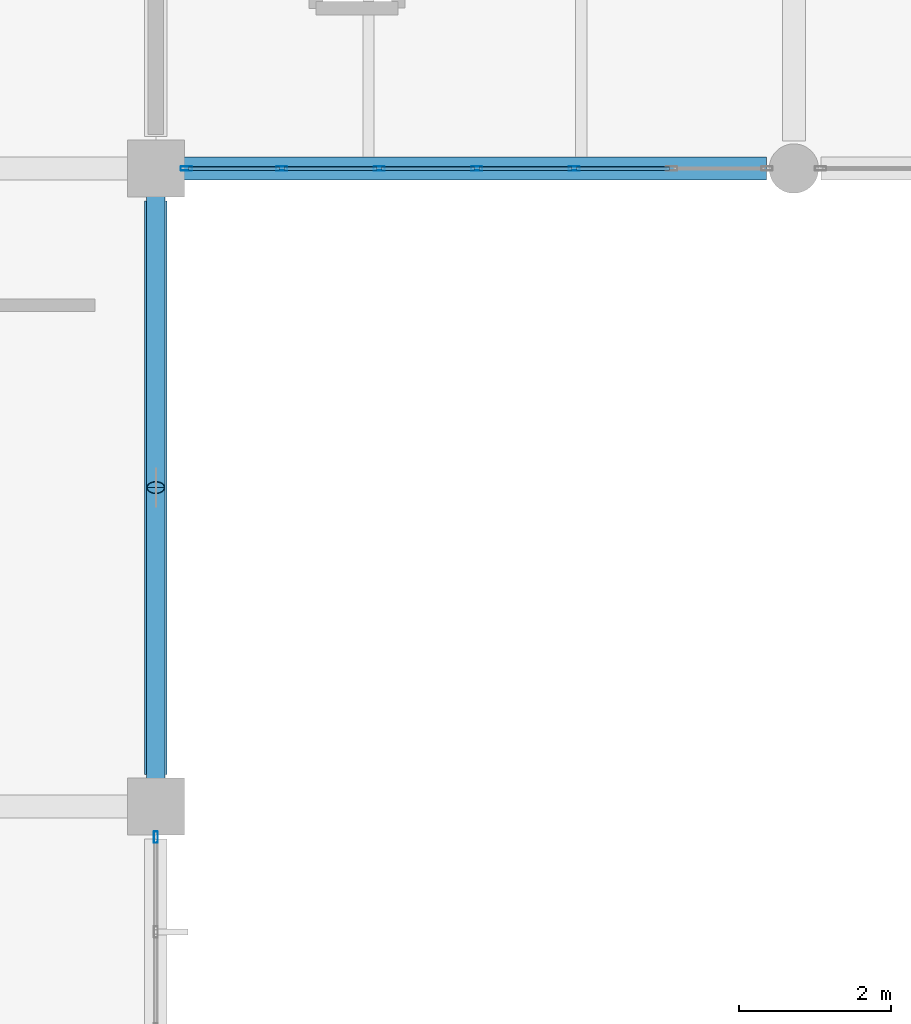
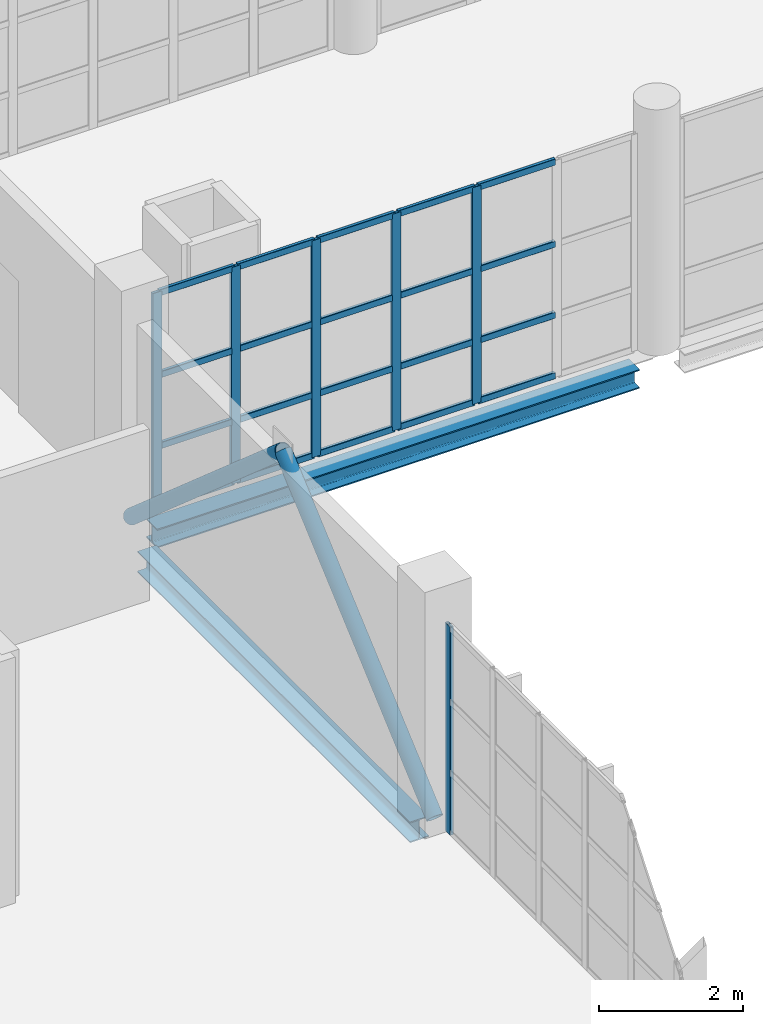
# One storey, part 63 of 177: 28 members, 2 beams, 2 elements without a shape of their own.
"""IFC4 building model written with IfcOpenShell, lengths in metres."""

from ifc_helpers import new_model, si_unit, direction, frame, origin, origin_2d, place, context, subcontext, project, spatial, hollow_rectangle, hollow_circle, i_section, extrude, material, layer, layer_set, material_profile, profile_set, type_object, element, aggregate, save


model = new_model("IFC4")

# Units and contexts
model_context = context("Model", 3, precision=1e-05, world=origin(), true_north=direction((0.0, 1.0)))
body_context = subcontext(model_context, "Body", "Model", "MODEL_VIEW")
ifc_project = project(units=[si_unit("LENGTHUNIT", "METRE"), si_unit("AREAUNIT", "SQUARE_METRE"), si_unit("VOLUMEUNIT", "CUBIC_METRE"), si_unit("PLANEANGLEUNIT", "RADIAN"), si_unit("MASSUNIT", "GRAM", prefix="KILO"), si_unit("THERMODYNAMICTEMPERATUREUNIT", "KELVIN"), si_unit("POWERUNIT", "WATT")], contexts=[model_context])

# Site, building, storey
site_placement = place(None, origin())
site = spatial("IfcSite", under=ifc_project, at=site_placement, CompositionType="ELEMENT")
building_placement = place(site_placement, origin())
building = spatial("IfcBuilding", under=site, at=building_placement, Name="Mavoryth Pier Ferry Terminal", CompositionType="ELEMENT")
storey_placement = place(building_placement, frame((0.0, 0.0, 5.43994140625)))
storey = spatial("IfcBuildingStorey", under=building, at=storey_placement, Name="L01", CompositionType="ELEMENT", Elevation=5.43994140625)

# Members
ifc_material_1 = material(Name="Steel S355J2", Category="steel")
ifc_material_profile_1 = material_profile(ifc_material_1, hollow_circle(Radius=0.122314453125, WallThickness=0.012451171875, at=origin_2d()), Name="CHS 244.5x12.5", Category="steel")
ifc_profile_set_1 = profile_set([ifc_material_profile_1], Name="Steel S355J2 - CHS 244.5x12.5")
member_type_1 = type_object("IfcMemberType", Name="Brace-Diag-CHS245", PredefinedType="BRACE", material=ifc_profile_set_1)
for number, where, z_axis, x_axis, name in (
    (1, (33.60009765625, 80.800048828125, 0.0), (0.0, 0.753891827784, 0.656998563165), (-1.0, 0.0, 0.0), "Steel Member MB-L01-0316"),
    (2, (33.60009765625, 89.199951171875, 0.0), (0.0, -0.753891827784, 0.656998563165), (1.0, 0.0, 0.0), "Steel Member MB-L01-0317"),
):
    element("IfcMember", number, at=place(storey_placement, frame(where, z_axis=z_axis, x_axis=x_axis)), inside=storey, type_object=member_type_1, Name=name, PredefinedType="BRACE", context=body_context, shape_type="SweptSolid", body=[
        extrude(hollow_circle(Radius=0.122314453125, WallThickness=0.012451171875, at=origin_2d()), origin(), (0.0, 0.0, 1.0), 5.571044921875),
    ])

# Curtain wall, member
ifc_material_2 = material(Name="Anodised Aluminium and Solar-Control Low-E Glass", Category="aluminium")
ifc_layer_1 = layer(ifc_material_2, 0.199951171875, Name="Anodised Aluminium and Solar-Control Low-E Glass", Category="aluminium")
ifc_layer_set_1 = layer_set([ifc_layer_1], Name="Anodised Aluminium and Solar-Control Low-E Glass - CW-Concourse-Mod1200")
curtain_wall_type_1 = type_object("IfcCurtainWallType", Name="CW-Concourse-Mod1200", PredefinedType="USERDEFINED", material=ifc_layer_set_1)
curtain_wall_1_placement = place(storey_placement, origin())
curtain_wall_1 = element("IfcCurtainWall", 3, at=curtain_wall_1_placement, inside=storey, type_object=curtain_wall_type_1, Name="Curtain Wall CW-0111-020", ObjectType="UNITISED CURTAIN WALL", PredefinedType="USERDEFINED")
ifc_material_3 = material(Name="Anodised Aluminium EN AW-6063", Category="aluminium")
ifc_material_profile_2 = material_profile(ifc_material_3, hollow_rectangle(XDim=0.054931640625, YDim=0.14990234375, WallThickness=0.00390625, InnerFilletRadius=0.00390625, OuterFilletRadius=0.008056640625, at=origin_2d()), Name="AL-MULL 150x55x4", Category="aluminium")
ifc_profile_set_2 = profile_set([ifc_material_profile_2], Name="Anodised Aluminium EN AW-6063 - AL-MULL 150x55x4")
member_type_2 = type_object("IfcMemberType", Name="Mullion-Alum-150x55", PredefinedType="MULLION", material=ifc_profile_set_2)
member_1_placement = place(storey_placement, frame((33.60009765625, 80.3974609375, 0.0), z_axis=(0.0, 0.0, 1.0), x_axis=(-1.0, 0.0, 0.0)))
member_1 = element("IfcMember", 4, at=member_1_placement, type_object=member_type_2, Name="CW02 mullion 7", PredefinedType="MULLION", context=body_context, shape_type="SweptSolid", body=[
    extrude(hollow_rectangle(XDim=0.054931640625, YDim=0.14990234375, WallThickness=0.00390625, InnerFilletRadius=0.00390625, OuterFilletRadius=0.008056640625, at=origin_2d()), origin(), (0.0, 0.0, 1.0), 3.51513671875),
])
aggregate(curtain_wall_1, [member_1])

# Curtain wall, members
ifc_layer_2 = layer(ifc_material_2, 0.1201171875, Name="Anodised Aluminium and Solar-Control Low-E Glass", Category="aluminium")
ifc_layer_set_2 = layer_set([ifc_layer_2], Name="Anodised Aluminium and Solar-Control Low-E Glass - CW-BridgeLink-Mod1400")
curtain_wall_type_2 = type_object("IfcCurtainWallType", Name="CW-BridgeLink-Mod1400", PredefinedType="USERDEFINED", material=ifc_layer_set_2)
curtain_wall_2_placement = place(storey_placement, origin())
curtain_wall_2 = element("IfcCurtainWall", 5, at=curtain_wall_2_placement, inside=storey, type_object=curtain_wall_type_2, Name="Curtain Wall CW-0111-098", ObjectType="UNITISED CURTAIN WALL", PredefinedType="USERDEFINED")
member_2_placement = place(storey_placement, frame((34.00244140625, 89.199951171875, 0.0), z_axis=(0.0, 0.0, 1.0), x_axis=(0.0, 1.0, 0.0)))
member_2 = element("IfcMember", 6, at=member_2_placement, type_object=member_type_2, Name="CW08 mullion 1", PredefinedType="MULLION", context=body_context, shape_type="SweptSolid", body=[
    extrude(hollow_rectangle(XDim=0.054931640625, YDim=0.14990234375, WallThickness=0.00390625, InnerFilletRadius=0.00390625, OuterFilletRadius=0.008056640625, at=origin_2d()), origin(), (0.0, 0.0, 1.0), 3.6650390625),
])
member_3_placement = place(storey_placement, frame((35.25830078125, 89.199951171875, 0.0), z_axis=(0.0, 0.0, 1.0), x_axis=(0.0, 1.0, 0.0)))
member_3 = element("IfcMember", 7, at=member_3_placement, type_object=member_type_2, Name="CW08 mullion 2", PredefinedType="MULLION", context=body_context, shape_type="SweptSolid", body=[
    extrude(hollow_rectangle(XDim=0.054931640625, YDim=0.14990234375, WallThickness=0.00390625, InnerFilletRadius=0.00390625, OuterFilletRadius=0.008056640625, at=origin_2d()), origin(), (0.0, 0.0, 1.0), 3.6650390625),
])
member_4_placement = place(storey_placement, frame((36.541748046875, 89.199951171875, 0.0), z_axis=(0.0, 0.0, 1.0), x_axis=(0.0, 1.0, 0.0)))
member_4 = element("IfcMember", 8, at=member_4_placement, type_object=member_type_2, Name="CW08 mullion 3", PredefinedType="MULLION", context=body_context, shape_type="SweptSolid", body=[
    extrude(hollow_rectangle(XDim=0.054931640625, YDim=0.14990234375, WallThickness=0.00390625, InnerFilletRadius=0.00390625, OuterFilletRadius=0.008056640625, at=origin_2d()), origin(), (0.0, 0.0, 1.0), 3.6650390625),
])
member_5_placement = place(storey_placement, frame((37.824951171875, 89.199951171875, 0.0), z_axis=(0.0, 0.0, 1.0), x_axis=(0.0, 1.0, 0.0)))
member_5 = element("IfcMember", 9, at=member_5_placement, type_object=member_type_2, Name="CW08 mullion 4", PredefinedType="MULLION", context=body_context, shape_type="SweptSolid", body=[
    extrude(hollow_rectangle(XDim=0.054931640625, YDim=0.14990234375, WallThickness=0.00390625, InnerFilletRadius=0.00390625, OuterFilletRadius=0.008056640625, at=origin_2d()), origin(), (0.0, 0.0, 1.0), 3.6650390625),
])
member_6_placement = place(storey_placement, frame((39.1083984375, 89.199951171875, 0.0), z_axis=(0.0, 0.0, 1.0), x_axis=(0.0, 1.0, 0.0)))
member_6 = element("IfcMember", 10, at=member_6_placement, type_object=member_type_2, Name="CW08 mullion 5", PredefinedType="MULLION", context=body_context, shape_type="SweptSolid", body=[
    extrude(hollow_rectangle(XDim=0.054931640625, YDim=0.14990234375, WallThickness=0.00390625, InnerFilletRadius=0.00390625, OuterFilletRadius=0.008056640625, at=origin_2d()), origin(), (0.0, 0.0, 1.0), 3.6650390625),
])

# Beams
ifc_material_profile_3 = material_profile(ifc_material_1, i_section(OverallWidth=0.300048828125, OverallDepth=0.35009765625, WebThickness=0.010009765625, FlangeThickness=0.017578125, FilletRadius=0.027099609375, at=origin_2d()), Name="HEA 360", Category="steel")
ifc_profile_set_3 = profile_set([ifc_material_profile_3], Name="Steel S355J2 - HEA 360")
beam_type_1 = type_object("IfcBeamType", Name="Spandrel-Steel-HEA360", PredefinedType="SPANDREL", material=ifc_profile_set_3)
beam_1_placement = place(storey_placement, frame((33.60009765625, 81.22509765625, -0.454833984375), z_axis=(0.0, 1.0, 0.0), x_axis=(-1.0, 0.0, 0.0)))
element("IfcBeam", 11, at=beam_1_placement, inside=storey, type_object=beam_type_1, Name="Beam B01-SP03-0108", PredefinedType="SPANDREL", context=body_context, shape_type="SweptSolid", body=[
    extrude(i_section(OverallWidth=0.300048828125, OverallDepth=0.35009765625, WebThickness=0.010009765625, FlangeThickness=0.017578125, FilletRadius=0.027099609375, at=origin_2d()), origin(), (0.0, 0.0, 1.0), 7.5498046875),
])
ifc_material_profile_4 = material_profile(ifc_material_1, i_section(OverallWidth=0.300048828125, OverallDepth=0.320068359375, WebThickness=0.011474609375, FlangeThickness=0.0205078125, FilletRadius=0.027099609375, at=origin_2d()), Name="HEB 320", Category="steel")
ifc_profile_set_4 = profile_set([ifc_material_profile_4], Name="Steel S355J2 - HEB 320")
beam_type_2 = type_object("IfcBeamType", Name="Spandrel-Steel-HEB320", PredefinedType="SPANDREL", material=ifc_profile_set_4)
beam_2_placement = place(storey_placement, frame((33.925048828125, 89.199951171875, -0.39990234375), z_axis=(1.0, 0.0, 0.0), x_axis=(0.0, 1.0, 0.0)))
element("IfcBeam", 12, at=beam_2_placement, inside=storey, type_object=beam_type_2, Name="Beam B01-SP04-0149", PredefinedType="SPANDREL", context=body_context, shape_type="SweptSolid", body=[
    extrude(i_section(OverallWidth=0.300048828125, OverallDepth=0.320068359375, WebThickness=0.011474609375, FlangeThickness=0.0205078125, FilletRadius=0.027099609375, at=origin_2d()), origin(), (0.0, 0.0, 1.0), 7.71484375),
])

# Member
ifc_material_profile_5 = material_profile(ifc_material_3, hollow_rectangle(XDim=0.054931640625, YDim=0.110107421875, WallThickness=0.00390625, InnerFilletRadius=0.00390625, OuterFilletRadius=0.008056640625, at=origin_2d()), Name="AL-TRAN 110x55x4", Category="aluminium")
ifc_profile_set_5 = profile_set([ifc_material_profile_5], Name="Anodised Aluminium EN AW-6063 - AL-TRAN 110x55x4")
member_type_3 = type_object("IfcMemberType", Name="Transom-Alum-110x55", PredefinedType="USERDEFINED", material=ifc_profile_set_5)
member_7_placement = place(storey_placement, frame((34.030029296875, 89.199951171875, 0.027587890625), z_axis=(1.0, 0.0, 0.0), x_axis=(0.0, 1.0, 0.0)))
member_7 = element("IfcMember", 13, at=member_7_placement, type_object=member_type_3, Name="CW08 transom 1.1", ObjectType="TRANSOM", PredefinedType="USERDEFINED", context=body_context, shape_type="SweptSolid", body=[
    extrude(hollow_rectangle(XDim=0.054931640625, YDim=0.110107421875, WallThickness=0.00390625, InnerFilletRadius=0.00390625, OuterFilletRadius=0.008056640625, at=origin_2d()), origin(), (0.0, 0.0, 1.0), 1.20068359375),
])

member_8_placement = place(storey_placement, frame((34.030029296875, 89.199951171875, 1.050048828125), z_axis=(1.0, 0.0, 0.0), x_axis=(0.0, 1.0, 0.0)))
member_8 = element("IfcMember", 14, at=member_8_placement, type_object=member_type_3, Name="CW08 transom 1.2", ObjectType="TRANSOM", PredefinedType="USERDEFINED", context=body_context, shape_type="SweptSolid", body=[
    extrude(hollow_rectangle(XDim=0.054931640625, YDim=0.110107421875, WallThickness=0.00390625, InnerFilletRadius=0.00390625, OuterFilletRadius=0.008056640625, at=origin_2d()), origin(), (0.0, 0.0, 1.0), 1.20068359375),
])

member_9_placement = place(storey_placement, frame((34.030029296875, 89.199951171875, 2.25), z_axis=(1.0, 0.0, 0.0), x_axis=(0.0, 1.0, 0.0)))
member_9 = element("IfcMember", 15, at=member_9_placement, type_object=member_type_3, Name="CW08 transom 1.3", ObjectType="TRANSOM", PredefinedType="USERDEFINED", context=body_context, shape_type="SweptSolid", body=[
    extrude(hollow_rectangle(XDim=0.054931640625, YDim=0.110107421875, WallThickness=0.00390625, InnerFilletRadius=0.00390625, OuterFilletRadius=0.008056640625, at=origin_2d()), origin(), (0.0, 0.0, 1.0), 1.20068359375),
])

member_10_placement = place(storey_placement, frame((34.030029296875, 89.199951171875, 3.637451171875), z_axis=(1.0, 0.0, 0.0), x_axis=(0.0, 1.0, 0.0)))
member_10 = element("IfcMember", 16, at=member_10_placement, type_object=member_type_3, Name="CW08 transom 1.4", ObjectType="TRANSOM", PredefinedType="USERDEFINED", context=body_context, shape_type="SweptSolid", body=[
    extrude(hollow_rectangle(XDim=0.054931640625, YDim=0.110107421875, WallThickness=0.00390625, InnerFilletRadius=0.00390625, OuterFilletRadius=0.008056640625, at=origin_2d()), origin(), (0.0, 0.0, 1.0), 1.20068359375),
])

member_11_placement = place(storey_placement, frame((35.285888671875, 89.199951171875, 0.027587890625), z_axis=(1.0, 0.0, 0.0), x_axis=(0.0, 1.0, 0.0)))
member_11 = element("IfcMember", 17, at=member_11_placement, type_object=member_type_3, Name="CW08 transom 2.1", ObjectType="TRANSOM", PredefinedType="USERDEFINED", context=body_context, shape_type="SweptSolid", body=[
    extrude(hollow_rectangle(XDim=0.054931640625, YDim=0.110107421875, WallThickness=0.00390625, InnerFilletRadius=0.00390625, OuterFilletRadius=0.008056640625, at=origin_2d()), origin(), (0.0, 0.0, 1.0), 1.228271484375),
])

member_12_placement = place(storey_placement, frame((35.285888671875, 89.199951171875, 1.050048828125), z_axis=(1.0, 0.0, 0.0), x_axis=(0.0, 1.0, 0.0)))
member_12 = element("IfcMember", 18, at=member_12_placement, type_object=member_type_3, Name="CW08 transom 2.2", ObjectType="TRANSOM", PredefinedType="USERDEFINED", context=body_context, shape_type="SweptSolid", body=[
    extrude(hollow_rectangle(XDim=0.054931640625, YDim=0.110107421875, WallThickness=0.00390625, InnerFilletRadius=0.00390625, OuterFilletRadius=0.008056640625, at=origin_2d()), origin(), (0.0, 0.0, 1.0), 1.228271484375),
])

member_13_placement = place(storey_placement, frame((35.285888671875, 89.199951171875, 2.25), z_axis=(1.0, 0.0, 0.0), x_axis=(0.0, 1.0, 0.0)))
member_13 = element("IfcMember", 19, at=member_13_placement, type_object=member_type_3, Name="CW08 transom 2.3", ObjectType="TRANSOM", PredefinedType="USERDEFINED", context=body_context, shape_type="SweptSolid", body=[
    extrude(hollow_rectangle(XDim=0.054931640625, YDim=0.110107421875, WallThickness=0.00390625, InnerFilletRadius=0.00390625, OuterFilletRadius=0.008056640625, at=origin_2d()), origin(), (0.0, 0.0, 1.0), 1.228271484375),
])

member_14_placement = place(storey_placement, frame((35.285888671875, 89.199951171875, 3.637451171875), z_axis=(1.0, 0.0, 0.0), x_axis=(0.0, 1.0, 0.0)))
member_14 = element("IfcMember", 20, at=member_14_placement, type_object=member_type_3, Name="CW08 transom 2.4", ObjectType="TRANSOM", PredefinedType="USERDEFINED", context=body_context, shape_type="SweptSolid", body=[
    extrude(hollow_rectangle(XDim=0.054931640625, YDim=0.110107421875, WallThickness=0.00390625, InnerFilletRadius=0.00390625, OuterFilletRadius=0.008056640625, at=origin_2d()), origin(), (0.0, 0.0, 1.0), 1.228271484375),
])

member_15_placement = place(storey_placement, frame((36.569091796875, 89.199951171875, 0.027587890625), z_axis=(1.0, 0.0, 0.0), x_axis=(0.0, 1.0, 0.0)))
member_15 = element("IfcMember", 21, at=member_15_placement, type_object=member_type_3, Name="CW08 transom 3.1", ObjectType="TRANSOM", PredefinedType="USERDEFINED", context=body_context, shape_type="SweptSolid", body=[
    extrude(hollow_rectangle(XDim=0.054931640625, YDim=0.110107421875, WallThickness=0.00390625, InnerFilletRadius=0.00390625, OuterFilletRadius=0.008056640625, at=origin_2d()), origin(), (0.0, 0.0, 1.0), 1.228515625),
])

member_16_placement = place(storey_placement, frame((36.569091796875, 89.199951171875, 1.050048828125), z_axis=(1.0, 0.0, 0.0), x_axis=(0.0, 1.0, 0.0)))
member_16 = element("IfcMember", 22, at=member_16_placement, type_object=member_type_3, Name="CW08 transom 3.2", ObjectType="TRANSOM", PredefinedType="USERDEFINED", context=body_context, shape_type="SweptSolid", body=[
    extrude(hollow_rectangle(XDim=0.054931640625, YDim=0.110107421875, WallThickness=0.00390625, InnerFilletRadius=0.00390625, OuterFilletRadius=0.008056640625, at=origin_2d()), origin(), (0.0, 0.0, 1.0), 1.228515625),
])

member_17_placement = place(storey_placement, frame((36.569091796875, 89.199951171875, 2.25), z_axis=(1.0, 0.0, 0.0), x_axis=(0.0, 1.0, 0.0)))
member_17 = element("IfcMember", 23, at=member_17_placement, type_object=member_type_3, Name="CW08 transom 3.3", ObjectType="TRANSOM", PredefinedType="USERDEFINED", context=body_context, shape_type="SweptSolid", body=[
    extrude(hollow_rectangle(XDim=0.054931640625, YDim=0.110107421875, WallThickness=0.00390625, InnerFilletRadius=0.00390625, OuterFilletRadius=0.008056640625, at=origin_2d()), origin(), (0.0, 0.0, 1.0), 1.228515625),
])

member_18_placement = place(storey_placement, frame((36.569091796875, 89.199951171875, 3.637451171875), z_axis=(1.0, 0.0, 0.0), x_axis=(0.0, 1.0, 0.0)))
member_18 = element("IfcMember", 24, at=member_18_placement, type_object=member_type_3, Name="CW08 transom 3.4", ObjectType="TRANSOM", PredefinedType="USERDEFINED", context=body_context, shape_type="SweptSolid", body=[
    extrude(hollow_rectangle(XDim=0.054931640625, YDim=0.110107421875, WallThickness=0.00390625, InnerFilletRadius=0.00390625, OuterFilletRadius=0.008056640625, at=origin_2d()), origin(), (0.0, 0.0, 1.0), 1.228515625),
])

member_19_placement = place(storey_placement, frame((37.8525390625, 89.199951171875, 0.027587890625), z_axis=(1.0, 0.0, 0.0), x_axis=(0.0, 1.0, 0.0)))
member_19 = element("IfcMember", 25, at=member_19_placement, type_object=member_type_3, Name="CW08 transom 4.1", ObjectType="TRANSOM", PredefinedType="USERDEFINED", context=body_context, shape_type="SweptSolid", body=[
    extrude(hollow_rectangle(XDim=0.054931640625, YDim=0.110107421875, WallThickness=0.00390625, InnerFilletRadius=0.00390625, OuterFilletRadius=0.008056640625, at=origin_2d()), origin(), (0.0, 0.0, 1.0), 1.228271484375),
])

member_20_placement = place(storey_placement, frame((37.8525390625, 89.199951171875, 1.050048828125), z_axis=(1.0, 0.0, 0.0), x_axis=(0.0, 1.0, 0.0)))
member_20 = element("IfcMember", 26, at=member_20_placement, type_object=member_type_3, Name="CW08 transom 4.2", ObjectType="TRANSOM", PredefinedType="USERDEFINED", context=body_context, shape_type="SweptSolid", body=[
    extrude(hollow_rectangle(XDim=0.054931640625, YDim=0.110107421875, WallThickness=0.00390625, InnerFilletRadius=0.00390625, OuterFilletRadius=0.008056640625, at=origin_2d()), origin(), (0.0, 0.0, 1.0), 1.228271484375),
])

member_21_placement = place(storey_placement, frame((37.8525390625, 89.199951171875, 2.25), z_axis=(1.0, 0.0, 0.0), x_axis=(0.0, 1.0, 0.0)))
member_21 = element("IfcMember", 27, at=member_21_placement, type_object=member_type_3, Name="CW08 transom 4.3", ObjectType="TRANSOM", PredefinedType="USERDEFINED", context=body_context, shape_type="SweptSolid", body=[
    extrude(hollow_rectangle(XDim=0.054931640625, YDim=0.110107421875, WallThickness=0.00390625, InnerFilletRadius=0.00390625, OuterFilletRadius=0.008056640625, at=origin_2d()), origin(), (0.0, 0.0, 1.0), 1.228271484375),
])

member_22_placement = place(storey_placement, frame((37.8525390625, 89.199951171875, 3.637451171875), z_axis=(1.0, 0.0, 0.0), x_axis=(0.0, 1.0, 0.0)))
member_22 = element("IfcMember", 28, at=member_22_placement, type_object=member_type_3, Name="CW08 transom 4.4", ObjectType="TRANSOM", PredefinedType="USERDEFINED", context=body_context, shape_type="SweptSolid", body=[
    extrude(hollow_rectangle(XDim=0.054931640625, YDim=0.110107421875, WallThickness=0.00390625, InnerFilletRadius=0.00390625, OuterFilletRadius=0.008056640625, at=origin_2d()), origin(), (0.0, 0.0, 1.0), 1.228271484375),
])

member_23_placement = place(storey_placement, frame((39.1357421875, 89.199951171875, 0.027587890625), z_axis=(1.0, 0.0, 0.0), x_axis=(0.0, 1.0, 0.0)))
member_23 = element("IfcMember", 29, at=member_23_placement, type_object=member_type_3, Name="CW08 transom 5.1", ObjectType="TRANSOM", PredefinedType="USERDEFINED", context=body_context, shape_type="SweptSolid", body=[
    extrude(hollow_rectangle(XDim=0.054931640625, YDim=0.110107421875, WallThickness=0.00390625, InnerFilletRadius=0.00390625, OuterFilletRadius=0.008056640625, at=origin_2d()), origin(), (0.0, 0.0, 1.0), 1.228515625),
])

member_24_placement = place(storey_placement, frame((39.1357421875, 89.199951171875, 1.050048828125), z_axis=(1.0, 0.0, 0.0), x_axis=(0.0, 1.0, 0.0)))
member_24 = element("IfcMember", 30, at=member_24_placement, type_object=member_type_3, Name="CW08 transom 5.2", ObjectType="TRANSOM", PredefinedType="USERDEFINED", context=body_context, shape_type="SweptSolid", body=[
    extrude(hollow_rectangle(XDim=0.054931640625, YDim=0.110107421875, WallThickness=0.00390625, InnerFilletRadius=0.00390625, OuterFilletRadius=0.008056640625, at=origin_2d()), origin(), (0.0, 0.0, 1.0), 1.228515625),
])

member_25_placement = place(storey_placement, frame((39.1357421875, 89.199951171875, 2.25), z_axis=(1.0, 0.0, 0.0), x_axis=(0.0, 1.0, 0.0)))
member_25 = element("IfcMember", 31, at=member_25_placement, type_object=member_type_3, Name="CW08 transom 5.3", ObjectType="TRANSOM", PredefinedType="USERDEFINED", context=body_context, shape_type="SweptSolid", body=[
    extrude(hollow_rectangle(XDim=0.054931640625, YDim=0.110107421875, WallThickness=0.00390625, InnerFilletRadius=0.00390625, OuterFilletRadius=0.008056640625, at=origin_2d()), origin(), (0.0, 0.0, 1.0), 1.228515625),
])

member_26_placement = place(storey_placement, frame((39.1357421875, 89.199951171875, 3.637451171875), z_axis=(1.0, 0.0, 0.0), x_axis=(0.0, 1.0, 0.0)))
member_26 = element("IfcMember", 32, at=member_26_placement, type_object=member_type_3, Name="CW08 transom 5.4", ObjectType="TRANSOM", PredefinedType="USERDEFINED", context=body_context, shape_type="SweptSolid", body=[
    extrude(hollow_rectangle(XDim=0.054931640625, YDim=0.110107421875, WallThickness=0.00390625, InnerFilletRadius=0.00390625, OuterFilletRadius=0.008056640625, at=origin_2d()), origin(), (0.0, 0.0, 1.0), 1.228515625),
])

aggregate(curtain_wall_2, [member_2, member_3, member_4, member_5, member_6, member_7, member_8, member_9, member_10, member_11, member_12, member_13, member_14, member_15, member_16, member_17, member_18, member_19, member_20, member_21, member_22, member_23, member_24, member_25, member_26])

save(model, "model.ifc")
